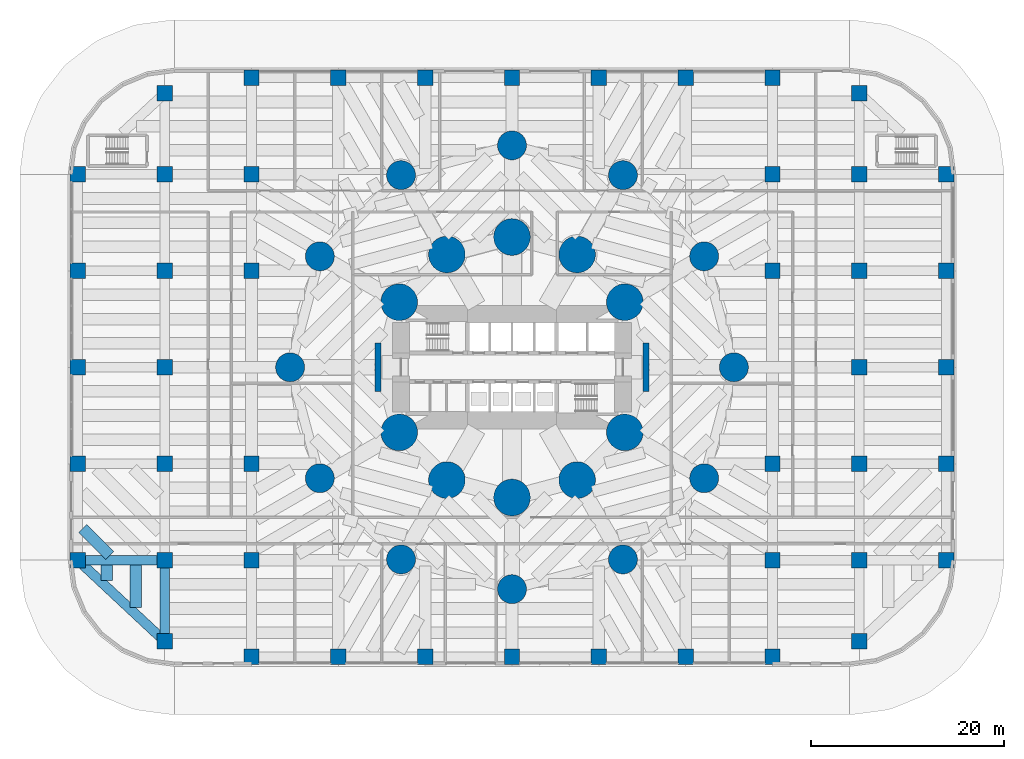
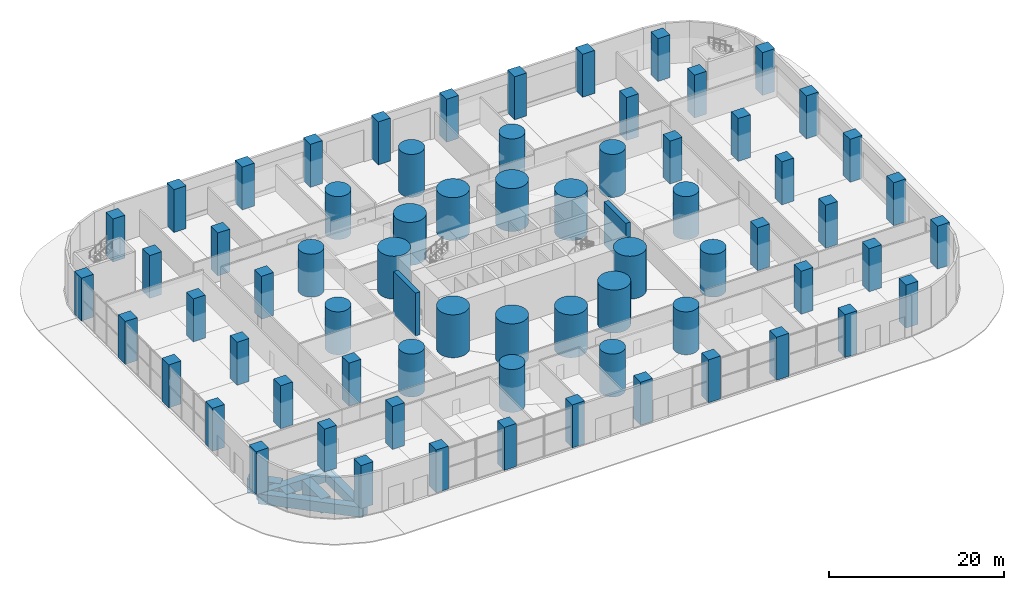
# One storey, part 1 of 20: 70 columns, 6 beams.
"""IFC4 building model written with IfcOpenShell, lengths in metres."""

import ifcopenshell
import ifcopenshell.guid

model = None  # the IFC model being written
_history = None  # IfcOwnerHistory: only IFC2X3 demands one
_inside = {}  # id of a spatial element -> (the spatial element, [elements in it])
_under = {}  # id of a project, library or spatial element -> (it, [spatial elements below it])
_declared = {}  # id of a project -> (the project, [libraries it declares])
_typed = {}  # id of a type object -> (the type object, [elements of that type])
_made_of = {}  # id of a material, layer set ... -> (it, [elements and type objects made of it])


def new_model(schema):
    """Start an empty IFC model of exactly this schema.

    Asked for "IFC4X3", IfcOpenShell would pick the latest addendum, in which some entities
    have other attributes; the version numbers below select the first issue.
    IFC2X3 requires an IfcOwnerHistory on every rooted entity: one is made here for all.
    """
    global model, _history
    if schema == "IFC4X3":
        model = ifcopenshell.file(schema_version=(4, 3, 0, 0))
    else:
        model = ifcopenshell.file(schema=schema)
    _inside.clear()
    _under.clear()
    _declared.clear()
    _typed.clear()
    _made_of.clear()
    _history = None
    if model.schema == "IFC2X3":
        org = make("IfcOrganization", Name="unknown")
        user = make(
            "IfcPersonAndOrganization",
            ThePerson=make("IfcPerson", FamilyName="unknown"),
            TheOrganization=org,
        )
        app = make(
            "IfcApplication",
            ApplicationDeveloper=org,
            Version="unknown",
            ApplicationFullName="unknown",
            ApplicationIdentifier="unknown",
        )
        _history = make(
            "IfcOwnerHistory",
            OwningUser=user,
            OwningApplication=app,
            ChangeAction="ADDED",
            CreationDate=0,
        )
    return model


def make(cls, **values):
    """One entity of the class cls with the attributes given. An attribute that is None is left unset."""
    return model.create_entity(
        cls, **{name: value for name, value in values.items() if value is not None}
    )


def rooted(cls, **values):
    """An entity with a GlobalId (a new one), such as an element, a storey or a relation."""
    return make(cls, GlobalId=ifcopenshell.guid.new(), OwnerHistory=_history, **values)


def si_unit(unit_type, name, prefix=None):
    """IfcSIUnit, for example si_unit("LENGTHUNIT", "METRE", prefix="MILLI")."""
    return make("IfcSIUnit", UnitType=unit_type, Prefix=prefix, Name=name)


def assignment(units):
    """IfcUnitAssignment: the units of a project."""
    return None if units is None else make("IfcUnitAssignment", Units=units)


def point(xyz):
    """IfcCartesianPoint."""
    return None if xyz is None else make("IfcCartesianPoint", Coordinates=xyz)


def direction(xyz):
    """IfcDirection."""
    return None if xyz is None else make("IfcDirection", DirectionRatios=xyz)


def frame(location, z_axis=None, x_axis=None):
    """IfcAxis2Placement3D, a coordinate frame: its origin and axes. An axis left out is left unset."""
    return make(
        "IfcAxis2Placement3D",
        Location=point(location),
        Axis=direction(z_axis),
        RefDirection=direction(x_axis),
    )


def frame_2d(location, x_axis=None):
    """IfcAxis2Placement2D, a coordinate frame in the plane: its origin and x axis."""
    return make(
        "IfcAxis2Placement2D", Location=point(location), RefDirection=direction(x_axis)
    )


def origin():
    """The frame at (0, 0, 0) with its axes left unset."""
    return frame((0.0, 0.0, 0.0))


def origin_2d():
    """The frame at (0, 0) in the plane with its x axis left unset."""
    return frame_2d((0.0, 0.0))


def place(relative_to, where):
    """IfcLocalPlacement: puts the frame where relative to a parent placement (None: the world)."""
    return make(
        "IfcLocalPlacement", PlacementRelTo=relative_to, RelativePlacement=where
    )


def context(
    kind, dimensions, precision=None, world=None, true_north=None, identifier=None
):
    """IfcGeometricRepresentationContext, for example the 3D "Model" context."""
    return make(
        "IfcGeometricRepresentationContext",
        ContextIdentifier=identifier,
        ContextType=kind,
        CoordinateSpaceDimension=dimensions,
        Precision=precision,
        WorldCoordinateSystem=world,
        TrueNorth=true_north,
    )


def subcontext(parent, identifier, kind, view, scale=None):
    """IfcGeometricRepresentationSubContext, for example "Body" below "Model"."""
    return make(
        "IfcGeometricRepresentationSubContext",
        ContextIdentifier=identifier,
        ContextType=kind,
        ParentContext=parent,
        TargetScale=scale,
        TargetView=view,
    )


def project(units=None, contexts=None):
    """IfcProject with its units and contexts."""
    return rooted(
        "IfcProject",
        Name="project",
        RepresentationContexts=contexts,
        UnitsInContext=assignment(units),
    )


def spatial(cls, under=None, at=None, **own):
    """A site, building, storey or space (cls), placed at a placement, below another one or the project."""
    s = rooted(cls, ObjectPlacement=at, **own)
    if under is not None:
        _under.setdefault(under.id(), (under, []))[1].append(s)
    return s


def profile(cls, at=None, kind="AREA", **sizes):
    """A parametric profile (cls). Its sizes go by their IFC names, for example OverallWidth=200.0."""
    return make(cls, ProfileType=kind, Position=at, **sizes)


def rectangle(**sizes):
    """IfcRectangleProfileDef."""
    return profile("IfcRectangleProfileDef", **sizes)


def circle(**sizes):
    """IfcCircleProfileDef."""
    return profile("IfcCircleProfileDef", **sizes)


def extrude(swept, where, along, depth):
    """IfcExtrudedAreaSolid: the profile swept, set in the frame where, extruded along a direction by depth."""
    return make(
        "IfcExtrudedAreaSolid",
        SweptArea=swept,
        Position=where,
        ExtrudedDirection=direction(along),
        Depth=depth,
    )


def shape(context_of_items, identifier, shape_type, items):
    """IfcShapeRepresentation: the items that make up one representation, for example the "Body"."""
    return make(
        "IfcShapeRepresentation",
        ContextOfItems=context_of_items,
        RepresentationIdentifier=identifier,
        RepresentationType=shape_type,
        Items=items,
    )


def material(Name=None, Category=None):
    """IfcMaterial."""
    return make("IfcMaterial", Name=Name, Category=Category)


def material_profile(
    of_material, cross_section, Name=None, Category=None, Priority=None
):
    """IfcMaterialProfile: a cross section and its material."""
    return make(
        "IfcMaterialProfile",
        Name=Name,
        Material=of_material,
        Profile=cross_section,
        Priority=Priority,
        Category=Category,
    )


def profile_set(profiles, Name=None, composite=None):
    """IfcMaterialProfileSet."""
    return make(
        "IfcMaterialProfileSet",
        Name=Name,
        MaterialProfiles=profiles,
        CompositeProfile=composite,
    )


def made_of(thing, what):
    """Note that an element or type object is made of a material, layer set ...; save() writes the relation."""
    if what is not None:
        _made_of.setdefault(what.id(), (what, []))[1].append(thing)
    return thing


def type_object(cls, material=None, **own):
    """A type object (cls), such as IfcWallType, which elements share."""
    return made_of(rooted(cls, **own), material)


def element(
    cls,
    number,
    at=None,
    inside=None,
    cuts=None,
    type_object=None,
    material=None,
    context=None,
    identifier="Body",
    shape_type=None,
    held_by="IfcProductDefinitionShape",
    body=None,
    shapes=None,
    **own,
):
    """One element of the class cls, such as IfcWall. Its Tag is "e" and its number.

    at: its placement. inside: the storey or other place that contains it. cuts: it is an
    opening in that element (IfcRelVoidsElement). A single representation is given by context,
    identifier, shape_type and body (its items); several are given by shapes. held_by: the class
    of the entity that holds the representations. save() writes the other relations.
    """
    e = rooted(cls, Tag="e%d" % number, ObjectPlacement=at, **own)
    if body is not None:
        shapes = [shape(context, identifier, shape_type, body)]
    if shapes is not None:
        e.Representation = make(held_by, Representations=shapes)
    if inside is not None:
        _inside.setdefault(inside.id(), (inside, []))[1].append(e)
    if cuts is not None:
        rooted(
            "IfcRelVoidsElement", RelatingBuildingElement=cuts, RelatedOpeningElement=e
        )
    if type_object is not None:
        _typed.setdefault(type_object.id(), (type_object, []))[1].append(e)
    return made_of(e, material)


def aggregate(whole, parts):
    """IfcRelAggregates: a whole, such as a stair, and the parts it consists of."""
    return rooted("IfcRelAggregates", RelatingObject=whole, RelatedObjects=parts)


def save(model, path):
    """Write the relations noted so far, then the file.

    IfcRelAggregates (storeys below a building ...), IfcRelContainedInSpatialStructure (elements
    in a storey), IfcRelDefinesByType, IfcRelAssociatesMaterial and IfcRelDeclares: one each for
    every whole, place, type object, material and project.
    """
    for whole, parts in _under.values():
        aggregate(whole, parts)
    for where, things in _inside.values():
        rooted(
            "IfcRelContainedInSpatialStructure",
            RelatedElements=things,
            RelatingStructure=where,
        )
    for kind, things in _typed.values():
        rooted("IfcRelDefinesByType", RelatedObjects=things, RelatingType=kind)
    for what, things in _made_of.values():
        rooted("IfcRelAssociatesMaterial", RelatedObjects=things, RelatingMaterial=what)
    for by, libraries in _declared.values():
        rooted("IfcRelDeclares", RelatingContext=by, RelatedDefinitions=libraries)
    model.write(path)


model = new_model("IFC4")

# Units and contexts
model_context = context("Model", 3, precision=1e-05, world=origin(), true_north=direction((0.0, 1.0)))
body_context = subcontext(model_context, "Body", "Model", "MODEL_VIEW")
ifc_project = project(units=[si_unit("LENGTHUNIT", "METRE"), si_unit("AREAUNIT", "SQUARE_METRE"), si_unit("VOLUMEUNIT", "CUBIC_METRE"), si_unit("PLANEANGLEUNIT", "RADIAN"), si_unit("MASSUNIT", "GRAM", prefix="KILO")], contexts=[model_context])

# Site, building, storey
site_placement = place(None, origin())
site = spatial("IfcSite", under=ifc_project, at=site_placement, CompositionType="ELEMENT")
building_placement = place(site_placement, origin())
building = spatial("IfcBuilding", under=site, at=building_placement, Name="Qaws Media Tower", CompositionType="ELEMENT")
storey_placement = place(building_placement, origin())
storey = spatial("IfcBuildingStorey", under=building, at=storey_placement, Name="L00", CompositionType="ELEMENT", Elevation=0.0)

# Columns
ifc_material_1 = material(Name="Concrete C70/85", Category="concrete")
ifc_material_profile_1 = material_profile(ifc_material_1, circle(Radius=1.5, at=origin_2d()), Name="RC D3000")
ifc_profile_set_1 = profile_set([ifc_material_profile_1], Name="Concrete C70/85")
column_type_1 = type_object("IfcColumnType", Name="Mega column RC D3000", PredefinedType="COLUMN", material=ifc_profile_set_1)
for number, where, z_axis, x_axis, name in (
    (1, (83.0, 50.0, 0.0), (0.0, 0.0, 1.0), (1.0, 0.0, 0.0), "MC1 mega column M01"),
    (2, (79.918701171875, 61.5, 0.0), (0.0, 0.0, 1.0), (1.0, 0.0, 0.0), "MC1 mega column M02"),
    (3, (71.5, 69.918701171875, 0.0), (0.0, 0.0, 1.0), (1.0, 0.0, 0.0), "MC1 mega column M03"),
    (4, (60.0, 73.0, 0.0), (0.0, 0.0, 1.0), (1.0, 0.0, 0.0), "MC1 mega column M04"),
    (5, (48.5, 69.918701171875, 0.0), (0.0, 0.0, 1.0), (1.0, 0.0, 0.0), "MC1 mega column M05"),
    (6, (40.081298828125, 61.5, 0.0), (0.0, 0.0, 1.0), (1.0, 0.0, 0.0), "MC1 mega column M06"),
    (7, (37.0, 50.0, 0.0), (0.0, 0.0, 1.0), (1.0, 0.0, 0.0), "MC1 mega column M07"),
    (8, (40.081298828125, 38.5, 0.0), (0.0, 0.0, 1.0), (1.0, 0.0, 0.0), "MC1 mega column M08"),
    (9, (48.5, 30.081298828125, 0.0), (0.0, 0.0, 1.0), (1.0, 0.0, 0.0), "MC1 mega column M09"),
    (10, (60.0, 27.0, 0.0), (0.0, 0.0, 1.0), (1.0, 0.0, 0.0), "MC1 mega column M10"),
    (11, (71.5, 30.081298828125, 0.0), (0.0, 0.0, 1.0), (1.0, 0.0, 0.0), "MC1 mega column M11"),
    (12, (79.918701171875, 38.5, 0.0), (0.0, 0.0, 1.0), (1.0, 0.0, 0.0), "MC1 mega column M12"),
):
    element("IfcColumn", number, at=place(storey_placement, frame(where, z_axis=z_axis, x_axis=x_axis)), inside=storey, type_object=column_type_1, Name=name, PredefinedType="COLUMN", context=body_context, shape_type="SweptSolid", body=[
        extrude(circle(Radius=1.5, at=origin_2d()), origin(), (0.0, 0.0, 1.0), 6.0),
    ])
ifc_material_2 = material(Name="Concrete C60/75", Category="concrete")
ifc_material_profile_2 = material_profile(ifc_material_2, rectangle(XDim=1.60009765625, YDim=1.60009765625, at=origin_2d()), Name="RC 1600x1600")
ifc_profile_set_2 = profile_set([ifc_material_profile_2], Name="Concrete C60/75")
column_type_2 = type_object("IfcColumnType", Name="Podium column RC 1600x1600", PredefinedType="COLUMN", material=ifc_profile_set_2)
for number, where, z_axis, x_axis, name in (
    (13, (33.0, 20.0, 0.0), (0.0, 0.0, 1.0), (1.0, 0.0, 0.0), "PC1 column 3/A"),
    (14, (42.0, 20.0, 0.0), (0.0, 0.0, 1.0), (1.0, 0.0, 0.0), "PC1 column 4/A"),
    (15, (51.0, 20.0, 0.0), (0.0, 0.0, 1.0), (1.0, 0.0, 0.0), "PC1 column 5/A"),
    (16, (60.0, 20.0, 0.0), (0.0, 0.0, 1.0), (1.0, 0.0, 0.0), "PC1 column 6/A"),
    (17, (69.0, 20.0, 0.0), (0.0, 0.0, 1.0), (1.0, 0.0, 0.0), "PC1 column 7/A"),
    (18, (78.0, 20.0, 0.0), (0.0, 0.0, 1.0), (1.0, 0.0, 0.0), "PC1 column 8/A"),
    (19, (87.0, 20.0, 0.0), (0.0, 0.0, 1.0), (1.0, 0.0, 0.0), "PC1 column 9/A"),
    (20, (24.0, 21.60009765625, 0.0), (0.0, 0.0, 1.0), (1.0, 0.0, 0.0), "PC1 column 2/A"),
    (21, (96.0, 21.60009765625, 0.0), (0.0, 0.0, 1.0), (1.0, 0.0, 0.0), "PC1 column 10/A"),
    (22, (15.0, 30.0, 0.0), (0.0, 0.0, 1.0), (1.0, 0.0, 0.0), "PC1 column 1/B"),
    (23, (24.0, 30.0, 0.0), (0.0, 0.0, 1.0), (1.0, 0.0, 0.0), "PC1 column 2/B"),
    (24, (33.0, 30.0, 0.0), (0.0, 0.0, 1.0), (1.0, 0.0, 0.0), "PC1 column 3/B"),
    (25, (87.0, 30.0, 0.0), (0.0, 0.0, 1.0), (1.0, 0.0, 0.0), "PC1 column 9/B"),
    (26, (96.0, 30.0, 0.0), (0.0, 0.0, 1.0), (1.0, 0.0, 0.0), "PC1 column 10/B"),
    (27, (105.0, 30.0, 0.0), (0.0, 0.0, 1.0), (1.0, 0.0, 0.0), "PC1 column 11/B"),
    (28, (15.0, 40.0, 0.0), (0.0, 0.0, 1.0), (1.0, 0.0, 0.0), "PC1 column 1/C"),
    (29, (24.0, 40.0, 0.0), (0.0, 0.0, 1.0), (1.0, 0.0, 0.0), "PC1 column 2/C"),
    (30, (33.0, 40.0, 0.0), (0.0, 0.0, 1.0), (1.0, 0.0, 0.0), "PC1 column 3/C"),
    (31, (87.0, 40.0, 0.0), (0.0, 0.0, 1.0), (1.0, 0.0, 0.0), "PC1 column 9/C"),
    (32, (96.0, 40.0, 0.0), (0.0, 0.0, 1.0), (1.0, 0.0, 0.0), "PC1 column 10/C"),
    (33, (105.0, 40.0, 0.0), (0.0, 0.0, 1.0), (1.0, 0.0, 0.0), "PC1 column 11/C"),
    (34, (15.0, 50.0, 0.0), (0.0, 0.0, 1.0), (1.0, 0.0, 0.0), "PC1 column 1/D"),
    (35, (24.0, 50.0, 0.0), (0.0, 0.0, 1.0), (1.0, 0.0, 0.0), "PC1 column 2/D"),
    (36, (96.0, 50.0, 0.0), (0.0, 0.0, 1.0), (1.0, 0.0, 0.0), "PC1 column 10/D"),
    (37, (105.0, 50.0, 0.0), (0.0, 0.0, 1.0), (1.0, 0.0, 0.0), "PC1 column 11/D"),
    (38, (15.0, 60.0, 0.0), (0.0, 0.0, 1.0), (1.0, 0.0, 0.0), "PC1 column 1/E"),
    (39, (24.0, 60.0, 0.0), (0.0, 0.0, 1.0), (1.0, 0.0, 0.0), "PC1 column 2/E"),
    (40, (33.0, 60.0, 0.0), (0.0, 0.0, 1.0), (1.0, 0.0, 0.0), "PC1 column 3/E"),
    (41, (87.0, 60.0, 0.0), (0.0, 0.0, 1.0), (1.0, 0.0, 0.0), "PC1 column 9/E"),
    (42, (96.0, 60.0, 0.0), (0.0, 0.0, 1.0), (1.0, 0.0, 0.0), "PC1 column 10/E"),
    (43, (105.0, 60.0, 0.0), (0.0, 0.0, 1.0), (1.0, 0.0, 0.0), "PC1 column 11/E"),
    (44, (15.0, 70.0, 0.0), (0.0, 0.0, 1.0), (1.0, 0.0, 0.0), "PC1 column 1/F"),
    (45, (24.0, 70.0, 0.0), (0.0, 0.0, 1.0), (1.0, 0.0, 0.0), "PC1 column 2/F"),
    (46, (33.0, 70.0, 0.0), (0.0, 0.0, 1.0), (1.0, 0.0, 0.0), "PC1 column 3/F"),
    (47, (87.0, 70.0, 0.0), (0.0, 0.0, 1.0), (1.0, 0.0, 0.0), "PC1 column 9/F"),
    (48, (96.0, 70.0, 0.0), (0.0, 0.0, 1.0), (1.0, 0.0, 0.0), "PC1 column 10/F"),
    (49, (105.0, 70.0, 0.0), (0.0, 0.0, 1.0), (1.0, 0.0, 0.0), "PC1 column 11/F"),
    (50, (24.0, 78.39990234375, 0.0), (0.0, 0.0, 1.0), (1.0, 0.0, 0.0), "PC1 column 2/G"),
    (51, (96.0, 78.39990234375, 0.0), (0.0, 0.0, 1.0), (1.0, 0.0, 0.0), "PC1 column 10/G"),
    (52, (33.0, 80.0, 0.0), (0.0, 0.0, 1.0), (1.0, 0.0, 0.0), "PC1 column 3/G"),
    (53, (42.0, 80.0, 0.0), (0.0, 0.0, 1.0), (1.0, 0.0, 0.0), "PC1 column 4/G"),
    (54, (51.0, 80.0, 0.0), (0.0, 0.0, 1.0), (1.0, 0.0, 0.0), "PC1 column 5/G"),
    (55, (60.0, 80.0, 0.0), (0.0, 0.0, 1.0), (1.0, 0.0, 0.0), "PC1 column 6/G"),
    (56, (69.0, 80.0, 0.0), (0.0, 0.0, 1.0), (1.0, 0.0, 0.0), "PC1 column 7/G"),
    (57, (78.0, 80.0, 0.0), (0.0, 0.0, 1.0), (1.0, 0.0, 0.0), "PC1 column 8/G"),
    (58, (87.0, 80.0, 0.0), (0.0, 0.0, 1.0), (1.0, 0.0, 0.0), "PC1 column 9/G"),
):
    element("IfcColumn", number, at=place(storey_placement, frame(where, z_axis=z_axis, x_axis=x_axis)), inside=storey, type_object=column_type_2, Name=name, PredefinedType="COLUMN", context=body_context, shape_type="SweptSolid", body=[
        extrude(rectangle(XDim=1.60009765625, YDim=1.60009765625, at=origin_2d()), origin(), (0.0, 0.0, 1.0), 6.0),
    ])
ifc_material_3 = material(Name="Concrete C70/85", Category="concrete")
ifc_material_profile_3 = material_profile(ifc_material_3, rectangle(XDim=0.60009765625, YDim=5.0, at=origin_2d()), Name="RC 600x5000")
ifc_profile_set_3 = profile_set([ifc_material_profile_3], Name="Concrete C70/85")
column_type_3 = type_object("IfcColumnType", Name="Podium inner blade column RC 600x5000", PredefinedType="COLUMN", material=ifc_profile_set_3)
for number, where, z_axis, x_axis, name in (
    (59, (73.89990234375, 50.0, 0.0), (0.0, 0.0, 1.0), (1.0, 0.0, 0.0), "PC4 inner blade column I01"),
    (60, (46.10009765625, 50.0, 0.0), (0.0, 0.0, 1.0), (1.0, 0.0, 0.0), "PC4 inner blade column I07"),
):
    element("IfcColumn", number, at=place(storey_placement, frame(where, z_axis=z_axis, x_axis=x_axis)), inside=storey, type_object=column_type_3, Name=name, PredefinedType="COLUMN", context=body_context, shape_type="SweptSolid", body=[
        extrude(rectangle(XDim=0.60009765625, YDim=5.0, at=origin_2d()), origin(), (0.0, 0.0, 1.0), 6.0),
    ])
ifc_material_4 = material(Name="Concrete C70/85", Category="concrete")
ifc_material_profile_4 = material_profile(ifc_material_4, circle(Radius=1.89990234375, at=origin_2d()), Name="RC D3800")
ifc_profile_set_4 = profile_set([ifc_material_profile_4], Name="Concrete C70/85")
column_type_4 = type_object("IfcColumnType", Name="Podium inner column RC D3800", PredefinedType="COLUMN", material=ifc_profile_set_4)
for number, where, z_axis, x_axis, name in (
    (61, (71.69140625, 56.75, 0.0), (0.0, 0.0, 1.0), (1.0, 0.0, 0.0), "PC3 inner column I02"),
    (62, (66.75, 61.69140625, 0.0), (0.0, 0.0, 1.0), (1.0, 0.0, 0.0), "PC3 inner column I03"),
    (63, (60.0, 63.5, 0.0), (0.0, 0.0, 1.0), (1.0, 0.0, 0.0), "PC3 inner column I04"),
    (64, (53.25, 61.69140625, 0.0), (0.0, 0.0, 1.0), (1.0, 0.0, 0.0), "PC3 inner column I05"),
    (65, (48.30859375, 56.75, 0.0), (0.0, 0.0, 1.0), (1.0, 0.0, 0.0), "PC3 inner column I06"),
    (66, (48.30859375, 43.25, 0.0), (0.0, 0.0, 1.0), (1.0, 0.0, 0.0), "PC3 inner column I08"),
    (67, (53.25, 38.30859375, 0.0), (0.0, 0.0, 1.0), (1.0, 0.0, 0.0), "PC3 inner column I09"),
    (68, (60.0, 36.5, 0.0), (0.0, 0.0, 1.0), (1.0, 0.0, 0.0), "PC3 inner column I10"),
    (69, (66.75, 38.30859375, 0.0), (0.0, 0.0, 1.0), (1.0, 0.0, 0.0), "PC3 inner column I11"),
    (70, (71.69140625, 43.25, 0.0), (0.0, 0.0, 1.0), (1.0, 0.0, 0.0), "PC3 inner column I12"),
):
    element("IfcColumn", number, at=place(storey_placement, frame(where, z_axis=z_axis, x_axis=x_axis)), inside=storey, type_object=column_type_4, Name=name, PredefinedType="COLUMN", context=body_context, shape_type="SweptSolid", body=[
        extrude(circle(Radius=1.89990234375, at=origin_2d()), origin(), (0.0, 0.0, 1.0), 6.0),
    ])

# Beams
ifc_material_5 = material(Name="Concrete C60/75", Category="concrete")
ifc_material_profile_5 = material_profile(ifc_material_5, rectangle(XDim=1.0, YDim=1.39990234375, at=origin_2d()), Name="RC 1000x1400")
ifc_profile_set_5 = profile_set([ifc_material_profile_5], Name="Concrete C60/75")
beam_type_1 = type_object("IfcBeamType", Name="Podium girder RC 1000x1400", PredefinedType="BEAM", material=ifc_profile_set_5)
beam_1_placement = place(storey_placement, frame((15.0, 30.0, -1.0), z_axis=(1.0, 0.0, 0.0), x_axis=(0.0, 1.0, 0.0)))
element("IfcBeam", 71, at=beam_1_placement, inside=storey, type_object=beam_type_1, Name="PB5 beam 1-2/B", PredefinedType="BEAM", context=body_context, shape_type="SweptSolid", body=[
    extrude(rectangle(XDim=1.0, YDim=1.39990234375, at=origin_2d()), origin(), (0.0, 0.0, 1.0), 9.0),
])
beam_2_placement = place(storey_placement, frame((24.0, 21.60009765625, -1.0), z_axis=(0.0, 1.0, 0.0), x_axis=(-1.0, 0.0, 0.0)))
element("IfcBeam", 72, at=beam_2_placement, inside=storey, type_object=beam_type_1, Name="PB5 beam 2/A-B", PredefinedType="BEAM", context=body_context, shape_type="SweptSolid", body=[
    extrude(rectangle(XDim=1.0, YDim=1.39990234375, at=origin_2d()), origin(), (0.0, 0.0, 1.0), 8.39990234375),
])
beam_3_placement = place(storey_placement, frame((15.0, 30.0, -1.0), z_axis=(0.73105922506, -0.682314010889, 0.0), x_axis=(0.682314010889, 0.73105922506, 0.0)))
element("IfcBeam", 73, at=beam_3_placement, inside=storey, type_object=beam_type_1, Name="PB5 beam 1/B-2/A", PredefinedType="BEAM", context=body_context, shape_type="SweptSolid", body=[
    extrude(rectangle(XDim=1.0, YDim=1.39990234375, at=origin_2d()), origin(), (0.0, 0.0, 1.0), 12.310791015625),
])
ifc_material_6 = material(Name="Concrete C60/75", Category="concrete")
ifc_material_profile_6 = material_profile(ifc_material_6, rectangle(XDim=1.199951171875, YDim=2.0, at=origin_2d()), Name="RC 1200x2000")
ifc_profile_set_6 = profile_set([ifc_material_profile_6], Name="Concrete C60/75")
beam_type_2 = type_object("IfcBeamType", Name="Podium secondary beam RC 1200x2000", PredefinedType="BEAM", material=ifc_profile_set_6)
beam_4_placement = place(storey_placement, frame((21.0, 25.083984375, -1.300048828125), z_axis=(0.0, 1.0, 0.0), x_axis=(-1.0, 0.0, 0.0)))
element("IfcBeam", 74, at=beam_4_placement, inside=storey, type_object=beam_type_2, Name="PB7 beam bay 1A line 1", PredefinedType="BEAM", context=body_context, shape_type="SweptSolid", body=[
    extrude(rectangle(XDim=1.199951171875, YDim=2.0, at=origin_2d()), origin(), (0.0, 0.0, 1.0), 4.416015625),
])
beam_5_placement = place(storey_placement, frame((18.0, 27.884033203125, -1.300048828125), z_axis=(0.0, 1.0, 0.0), x_axis=(-1.0, 0.0, 0.0)))
element("IfcBeam", 75, at=beam_5_placement, inside=storey, type_object=beam_type_2, Name="PB7 beam bay 1A line 2", PredefinedType="BEAM", context=body_context, shape_type="SweptSolid", body=[
    extrude(rectangle(XDim=1.199951171875, YDim=2.0, at=origin_2d()), origin(), (0.0, 0.0, 1.0), 1.615966796875),
])
beam_6_placement = place(storey_placement, frame((18.300048828125, 30.5, -1.300048828125), z_axis=(-0.707106781187, 0.707106781187, 0.0), x_axis=(-0.707106781187, -0.707106781187, 0.0)))
element("IfcBeam", 76, at=beam_6_placement, inside=storey, type_object=beam_type_2, Name="PB7 beam bay 1B line 4", PredefinedType="BEAM", context=body_context, shape_type="SweptSolid", body=[
    extrude(rectangle(XDim=1.199951171875, YDim=2.0, at=origin_2d()), origin(), (0.0, 0.0, 1.0), 3.9599609375),
])

save(model, "model.ifc")
